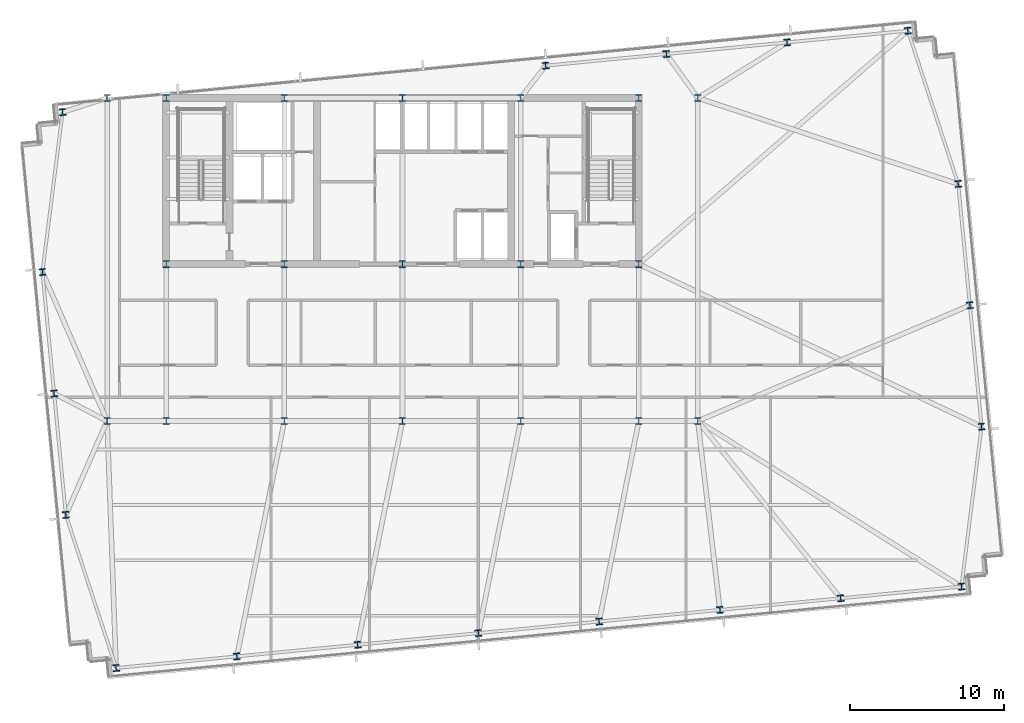
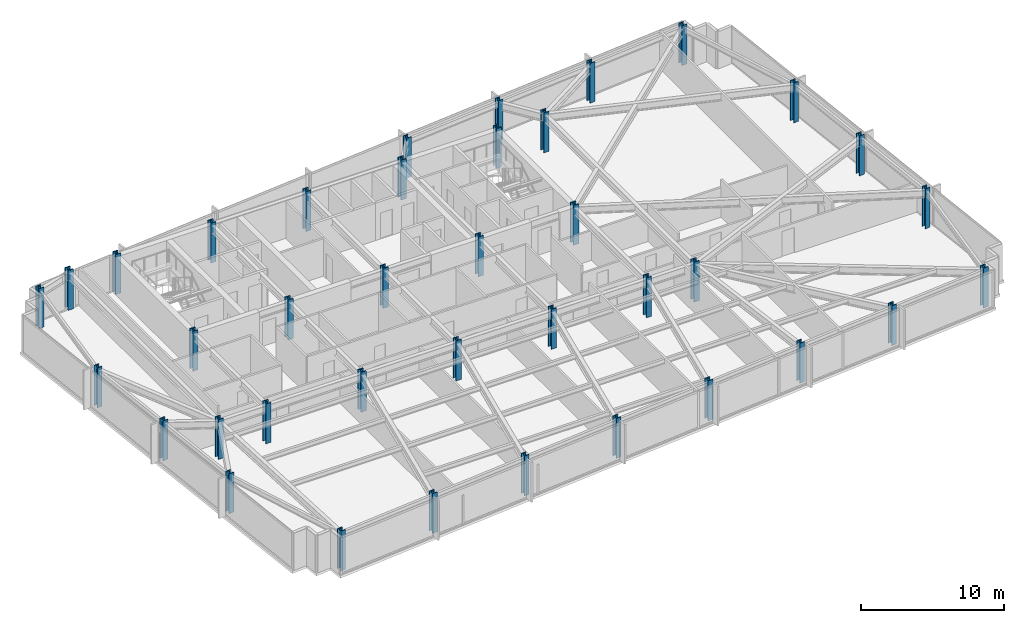
# One storey, part 1 of 33: 38 columns.
"""IFC4 building model written with IfcOpenShell, lengths in metres."""

from ifc_helpers import new_model, si_unit, direction, frame, origin, origin_2d, place, context, subcontext, project, spatial, i_section, extrude, material, material_profile, profile_set, type_object, element, save


model = new_model("IFC4")

# Units and contexts
model_context = context("Model", 3, precision=1e-05, world=origin(), true_north=direction((0.0, 1.0)))
body_context = subcontext(model_context, "Body", "Model", "MODEL_VIEW")
ifc_project = project(units=[si_unit("LENGTHUNIT", "METRE"), si_unit("AREAUNIT", "SQUARE_METRE"), si_unit("VOLUMEUNIT", "CUBIC_METRE"), si_unit("PLANEANGLEUNIT", "RADIAN"), si_unit("MASSUNIT", "GRAM", prefix="KILO")], contexts=[model_context])

# Site, building, storey
site_placement = place(None, origin())
site = spatial("IfcSite", under=ifc_project, at=site_placement, CompositionType="ELEMENT")
building_placement = place(site_placement, origin())
building = spatial("IfcBuilding", under=site, at=building_placement, Name="Yelkora Congress Tower", CompositionType="ELEMENT")
storey_placement = place(building_placement, frame((0.0, 0.0, 110.10009765625)))
storey = spatial("IfcBuildingStorey", under=building, at=storey_placement, Name="L29", CompositionType="ELEMENT", Elevation=110.10009765625)

# Columns
ifc_material = material(Name="Steel S460M", Category="steel")
ifc_material_profile_1 = material_profile(ifc_material, i_section(OverallWidth=0.412109375, OverallDepth=0.43505859375, WebThickness=0.035888671875, FlangeThickness=0.05810546875, FilletRadius=0.014892578125, at=origin_2d()), Name="HD 400x463")
ifc_profile_set_1 = profile_set([ifc_material_profile_1], Name="Steel S460M")
column_type_1 = type_object("IfcColumnType", Name="COL-HD-463-EXT", PredefinedType="COLUMN", material=ifc_profile_set_1)
for number, where, z_axis, x_axis, name in (
    (1, (19.785888671875, 9.144287109375, 0.0), (0.0, 0.0, 1.0), (0.995396198367, 0.09584575252, 0.0), "L29 Perimeter Column S01"),
    (2, (27.635498046875, 9.900146484375, 0.0), (0.0, 0.0, 1.0), (0.995396198367, 0.09584575252, 0.0), "L29 Perimeter Column S02"),
    (3, (35.48486328125, 10.656005859375, 0.0), (0.0, 0.0, 1.0), (0.995396198367, 0.09584575252, 0.0), "L29 Perimeter Column S03"),
    (4, (43.334228515625, 11.411865234375, 0.0), (0.0, 0.0, 1.0), (0.995396198367, 0.09584575252, 0.0), "L29 Perimeter Column S04"),
    (5, (51.18359375, 12.16748046875, 0.0), (0.0, 0.0, 1.0), (0.995396198367, 0.09584575252, 0.0), "L29 Perimeter Column S05"),
    (6, (59.033203125, 12.92333984375, 0.0), (0.0, 0.0, 1.0), (0.995396198367, 0.09584575252, 0.0), "L29 Perimeter Column S06"),
    (7, (66.882568359375, 13.67919921875, 0.0), (0.0, 0.0, 1.0), (0.995396198367, 0.09584575252, 0.0), "L29 Perimeter Column S07"),
    (8, (74.73193359375, 14.43505859375, 0.0), (0.0, 0.0, 1.0), (0.995396198367, 0.09584575252, 0.0), "L29 Perimeter Column S08"),
    (9, (16.306884765625, 45.27734375, 0.0), (0.0, 0.0, 1.0), (0.995396198367, 0.09584575252, 0.0), "L29 Perimeter Column N01"),
    (10, (47.70458984375, 48.300537109375, 0.0), (0.0, 0.0, 1.0), (0.995396198367, 0.09584575252, 0.0), "L29 Perimeter Column N05"),
    (11, (55.553955078125, 49.056396484375, 0.0), (0.0, 0.0, 1.0), (0.995396198367, 0.09584575252, 0.0), "L29 Perimeter Column N06"),
    (12, (63.4033203125, 49.81201171875, 0.0), (0.0, 0.0, 1.0), (0.995396198367, 0.09584575252, 0.0), "L29 Perimeter Column N07"),
    (13, (71.252685546875, 50.568115234375, 0.0), (0.0, 0.0, 1.0), (0.995396198367, 0.09584575252, 0.0), "L29 Perimeter Column N08"),
    (14, (16.5166015625, 19.101806640625, 0.0), (0.0, 0.0, 1.0), (0.995396198367, 0.09584575252, 0.0), "L29 Perimeter Column W01"),
    (15, (76.041259765625, 24.83349609375, 0.0), (0.0, 0.0, 1.0), (0.995396198367, 0.09584575252, 0.0), "L29 Perimeter Column E01"),
    (16, (15.757080078125, 26.990478515625, 0.0), (0.0, 0.0, 1.0), (0.995396198367, 0.09584575252, 0.0), "L29 Perimeter Column W02"),
    (17, (75.28173828125, 32.721923828125, 0.0), (0.0, 0.0, 1.0), (0.995396198367, 0.09584575252, 0.0), "L29 Perimeter Column E02"),
    (18, (14.997314453125, 34.87890625, 0.0), (0.0, 0.0, 1.0), (0.995396198367, 0.09584575252, 0.0), "L29 Perimeter Column W03"),
    (19, (74.522216796875, 40.610595703125, 0.0), (0.0, 0.0, 1.0), (0.995396198367, 0.09584575252, 0.0), "L29 Perimeter Column E03"),
):
    element("IfcColumn", number, at=place(storey_placement, frame(where, z_axis=z_axis, x_axis=x_axis)), inside=storey, type_object=column_type_1, Name=name, PredefinedType="COLUMN", context=body_context, shape_type="SweptSolid", body=[
        extrude(i_section(OverallWidth=0.412109375, OverallDepth=0.43505859375, WebThickness=0.035888671875, FlangeThickness=0.05810546875, FilletRadius=0.014892578125, at=origin_2d()), origin(), (0.0, 0.0, 1.0), 3.39990234375),
    ])
ifc_material_profile_2 = material_profile(ifc_material, i_section(OverallWidth=0.424072265625, OverallDepth=0.47412109375, WebThickness=0.047119140625, FlangeThickness=0.076904296875, FilletRadius=0.014892578125, at=origin_2d()), Name="HD 400x634")
ifc_profile_set_2 = profile_set([ifc_material_profile_2], Name="Steel S460M")
column_type_2 = type_object("IfcColumnType", Name="COL-HD-634", PredefinedType="COLUMN", material=ifc_profile_set_2)
for number, where, z_axis, x_axis, name in (
    (20, (23.0400390625, 35.39990234375, 0.0), (0.0, 0.0, 1.0), (1.0, 0.0, 0.0), "L29 Mega Column MC-S1"),
    (21, (23.0400390625, 46.199951171875, 0.0), (0.0, 0.0, 1.0), (1.0, 0.0, 0.0), "L29 Mega Column MC-N1"),
    (22, (23.0400390625, 25.199951171875, 0.0), (0.0, 0.0, 1.0), (1.0, 0.0, 0.0), "L29 Mega Column MC-D1"),
    (23, (30.719970703125, 35.39990234375, 0.0), (0.0, 0.0, 1.0), (1.0, 0.0, 0.0), "L29 Mega Column MC-S2"),
    (24, (30.719970703125, 46.199951171875, 0.0), (0.0, 0.0, 1.0), (1.0, 0.0, 0.0), "L29 Mega Column MC-N2"),
    (25, (30.719970703125, 25.199951171875, 0.0), (0.0, 0.0, 1.0), (1.0, 0.0, 0.0), "L29 Mega Column MC-D2"),
    (26, (38.39990234375, 35.39990234375, 0.0), (0.0, 0.0, 1.0), (1.0, 0.0, 0.0), "L29 Mega Column MC-S3"),
    (27, (38.39990234375, 46.199951171875, 0.0), (0.0, 0.0, 1.0), (1.0, 0.0, 0.0), "L29 Mega Column MC-N3"),
    (28, (38.39990234375, 25.199951171875, 0.0), (0.0, 0.0, 1.0), (1.0, 0.0, 0.0), "L29 Mega Column MC-D3"),
    (29, (46.080078125, 35.39990234375, 0.0), (0.0, 0.0, 1.0), (1.0, 0.0, 0.0), "L29 Mega Column MC-S4"),
    (30, (46.080078125, 46.199951171875, 0.0), (0.0, 0.0, 1.0), (1.0, 0.0, 0.0), "L29 Mega Column MC-N4"),
    (31, (46.080078125, 25.199951171875, 0.0), (0.0, 0.0, 1.0), (1.0, 0.0, 0.0), "L29 Mega Column MC-D4"),
    (32, (53.760009765625, 35.39990234375, 0.0), (0.0, 0.0, 1.0), (1.0, 0.0, 0.0), "L29 Mega Column MC-S5"),
    (33, (53.760009765625, 46.199951171875, 0.0), (0.0, 0.0, 1.0), (1.0, 0.0, 0.0), "L29 Mega Column MC-N5"),
    (34, (53.760009765625, 25.199951171875, 0.0), (0.0, 0.0, 1.0), (1.0, 0.0, 0.0), "L29 Mega Column MC-D5"),
    (35, (19.199951171875, 25.199951171875, 0.0), (0.0, 0.0, 1.0), (1.0, 0.0, 0.0), "L29 Mega Column MC-F1"),
    (36, (57.60009765625, 25.199951171875, 0.0), (0.0, 0.0, 1.0), (1.0, 0.0, 0.0), "L29 Mega Column MC-F2"),
    (37, (19.199951171875, 46.199951171875, 0.0), (0.0, 0.0, 1.0), (1.0, 0.0, 0.0), "L29 Mega Column MC-F3"),
    (38, (57.60009765625, 46.199951171875, 0.0), (0.0, 0.0, 1.0), (1.0, 0.0, 0.0), "L29 Mega Column MC-F4"),
):
    element("IfcColumn", number, at=place(storey_placement, frame(where, z_axis=z_axis, x_axis=x_axis)), inside=storey, type_object=column_type_2, Name=name, PredefinedType="COLUMN", context=body_context, shape_type="SweptSolid", body=[
        extrude(i_section(OverallWidth=0.424072265625, OverallDepth=0.47412109375, WebThickness=0.047119140625, FlangeThickness=0.076904296875, FilletRadius=0.014892578125, at=origin_2d()), origin(), (0.0, 0.0, 1.0), 3.39990234375),
    ])

save(model, "model.ifc")
